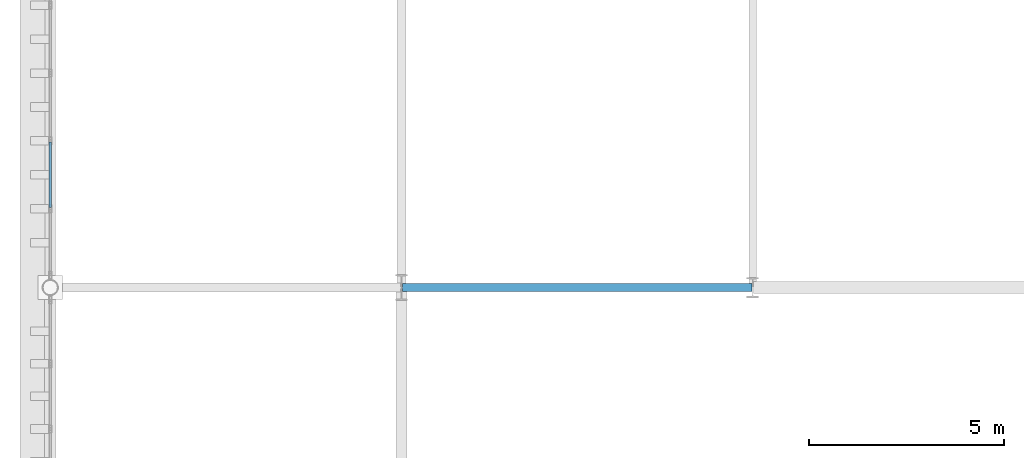
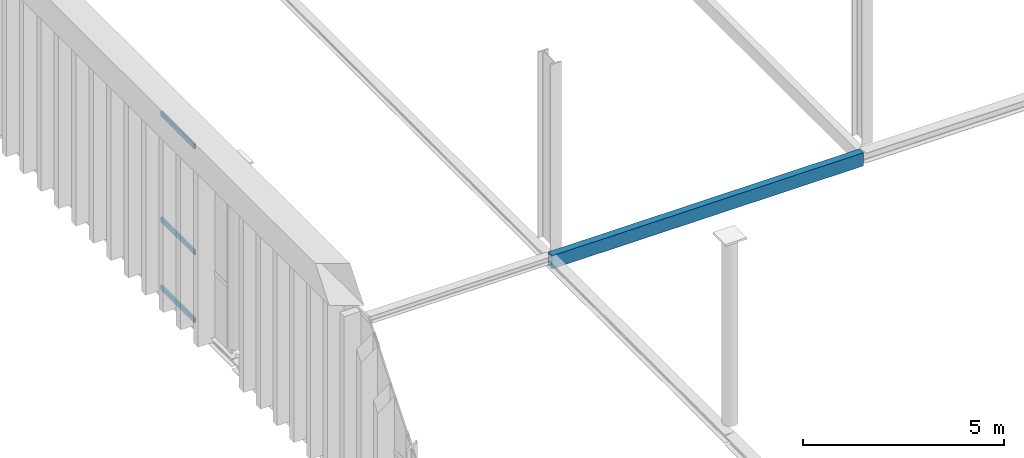
# One storey, part 95 of 237: 3 members, 1 beam, 1 element without a shape of its own.
"""IFC4 building model written with IfcOpenShell, lengths in metres."""

from ifc_helpers import new_model, si_unit, direction, frame, origin, origin_2d, place, context, subcontext, project, spatial, hollow_rectangle, extrude, material, layer, layer_set, material_profile, profile_set, type_object, element, aggregate, save


model = new_model("IFC4")

# Units and contexts
model_context = context("Model", 3, precision=1e-05, world=origin(), true_north=direction((0.0, 1.0)))
body_context = subcontext(model_context, "Body", "Model", "MODEL_VIEW")
ifc_project = project(units=[si_unit("LENGTHUNIT", "METRE"), si_unit("AREAUNIT", "SQUARE_METRE"), si_unit("VOLUMEUNIT", "CUBIC_METRE"), si_unit("PLANEANGLEUNIT", "RADIAN"), si_unit("MASSUNIT", "GRAM", prefix="KILO")], contexts=[model_context])

# Site, building, storey
site_placement = place(None, origin())
site = spatial("IfcSite", under=ifc_project, at=site_placement, CompositionType="ELEMENT")
building_placement = place(site_placement, origin())
building = spatial("IfcBuilding", under=site, at=building_placement, Name="Barlavento Convention Centre", CompositionType="ELEMENT")
storey_placement = place(building_placement, frame((0.0, 0.0, 12.0)))
storey = spatial("IfcBuildingStorey", under=building, at=storey_placement, Name="L02", CompositionType="ELEMENT", Elevation=12.0)

# Curtain wall, members
ifc_material_1 = material(Name="Powder-coated aluminium and Low-E glass", Category="aluminium")
ifc_layer = layer(ifc_material_1, 0.18505859375)
ifc_layer_set = layer_set([ifc_layer], Name="ARC-CW-EXH-L02")
curtain_wall_type = type_object("IfcCurtainWallType", Name="ARC-CW-EXH-L02", PredefinedType="NOTDEFINED", material=ifc_layer_set)
curtain_wall_placement = place(storey_placement, origin())
curtain_wall = element("IfcCurtainWall", 1, at=curtain_wall_placement, inside=storey, type_object=curtain_wall_type, Name="L02 unitised curtain wall CW05", PredefinedType="NOTDEFINED")
ifc_material_2 = material(Name="Powder-coated aluminium", Category="aluminium")
ifc_material_profile_1 = material_profile(ifc_material_2, hollow_rectangle(XDim=0.06005859375, YDim=0.139892578125, WallThickness=0.00390625, at=origin_2d()), Name="AL-TRAN 60x140x4")
ifc_profile_set_1 = profile_set([ifc_material_profile_1], Name="Powder-coated aluminium")
member_type = type_object("IfcMemberType", Name="ARC-CWT-60X140", PredefinedType="USERDEFINED", material=ifc_profile_set_1)
member_1_placement = place(storey_placement, frame((0.0, 119.05322265625, -0.469970703125), z_axis=(0.0, 1.0, 0.0), x_axis=(-1.0, 0.0, 0.0)))
member_1 = element("IfcMember", 2, at=member_1_placement, type_object=member_type, Name="CW05 transom 2.1", ObjectType="TRANSOM", PredefinedType="USERDEFINED", context=body_context, shape_type="SweptSolid", body=[
    extrude(hollow_rectangle(XDim=0.06005859375, YDim=0.139892578125, WallThickness=0.00390625, at=origin_2d()), origin(), (0.0, 0.0, 1.0), 1.67236328125),
])
member_2_placement = place(storey_placement, frame((0.0, 119.05322265625, 1.60009765625), z_axis=(0.0, 1.0, 0.0), x_axis=(-1.0, 0.0, 0.0)))
member_2 = element("IfcMember", 3, at=member_2_placement, type_object=member_type, Name="CW05 transom 2.2", ObjectType="TRANSOM", PredefinedType="USERDEFINED", context=body_context, shape_type="SweptSolid", body=[
    extrude(hollow_rectangle(XDim=0.06005859375, YDim=0.139892578125, WallThickness=0.00390625, at=origin_2d()), origin(), (0.0, 0.0, 1.0), 1.67236328125),
])
member_3_placement = place(storey_placement, frame((0.0, 119.05322265625, 4.820068359375), z_axis=(0.0, 1.0, 0.0), x_axis=(-1.0, 0.0, 0.0)))
member_3 = element("IfcMember", 4, at=member_3_placement, type_object=member_type, Name="CW05 transom 2.3", ObjectType="TRANSOM", PredefinedType="USERDEFINED", context=body_context, shape_type="SweptSolid", body=[
    extrude(hollow_rectangle(XDim=0.06005859375, YDim=0.139892578125, WallThickness=0.00390625, at=origin_2d()), origin(), (0.0, 0.0, 1.0), 1.67236328125),
])
aggregate(curtain_wall, [member_1, member_2, member_3])

# Beam
ifc_material_3 = material(Name="Steel S355", Category="steel")
ifc_material_profile_2 = material_profile(ifc_material_3, hollow_rectangle(XDim=0.199951171875, YDim=0.39990234375, WallThickness=0.01611328125, at=origin_2d()), Name="RHS 400x200x16.0")
ifc_profile_set_2 = profile_set([ifc_material_profile_2], Name="Steel S355")
beam_type = type_object("IfcBeamType", Name="STR-BM-SPN-RHS400", PredefinedType="SPANDREL", material=ifc_profile_set_2)
beam_placement = place(storey_placement, frame((9.02001953125, 117.0, -0.56005859375), z_axis=(1.0, 0.0, 0.0), x_axis=(0.0, 1.0, 0.0)))
element("IfcBeam", 5, at=beam_placement, inside=storey, type_object=beam_type, Name="L02 primary girder SP06", PredefinedType="SPANDREL", context=body_context, shape_type="SweptSolid", body=[
    extrude(hollow_rectangle(XDim=0.199951171875, YDim=0.39990234375, WallThickness=0.01611328125, at=origin_2d()), origin(), (0.0, 0.0, 1.0), 8.9599609375),
])

save(model, "model.ifc")
